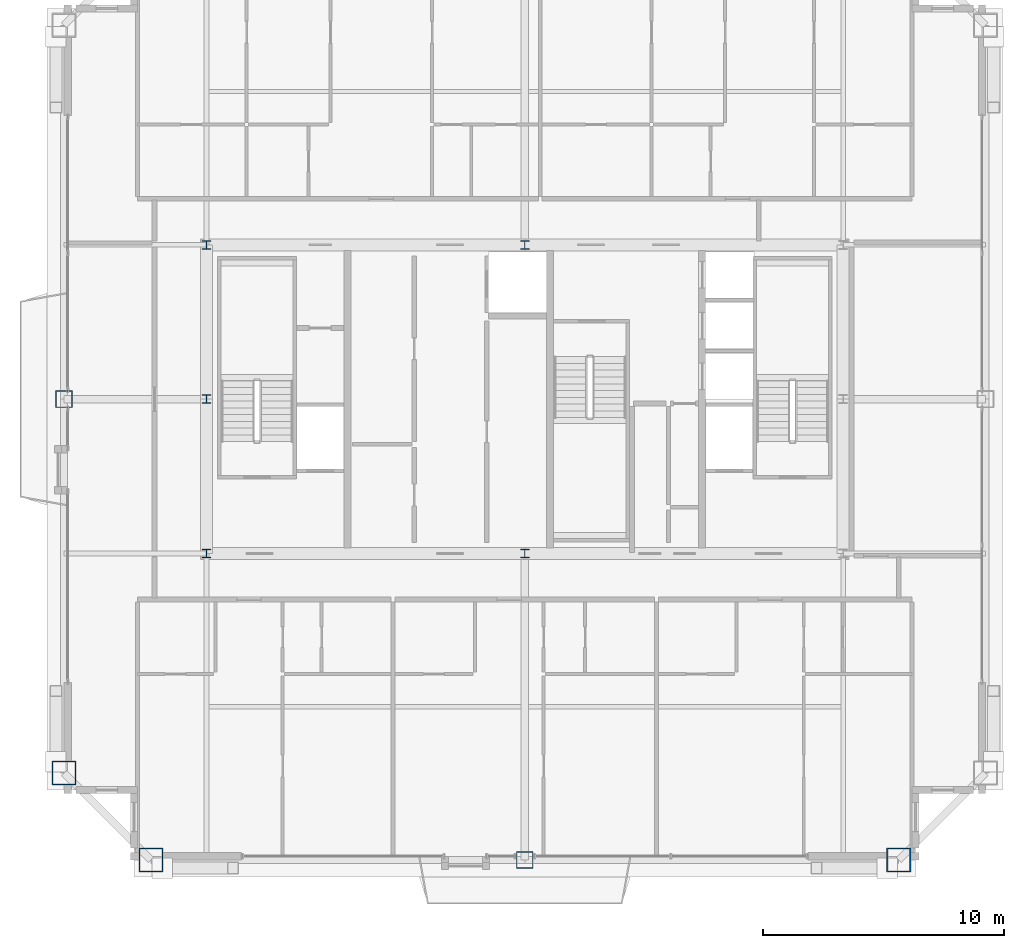
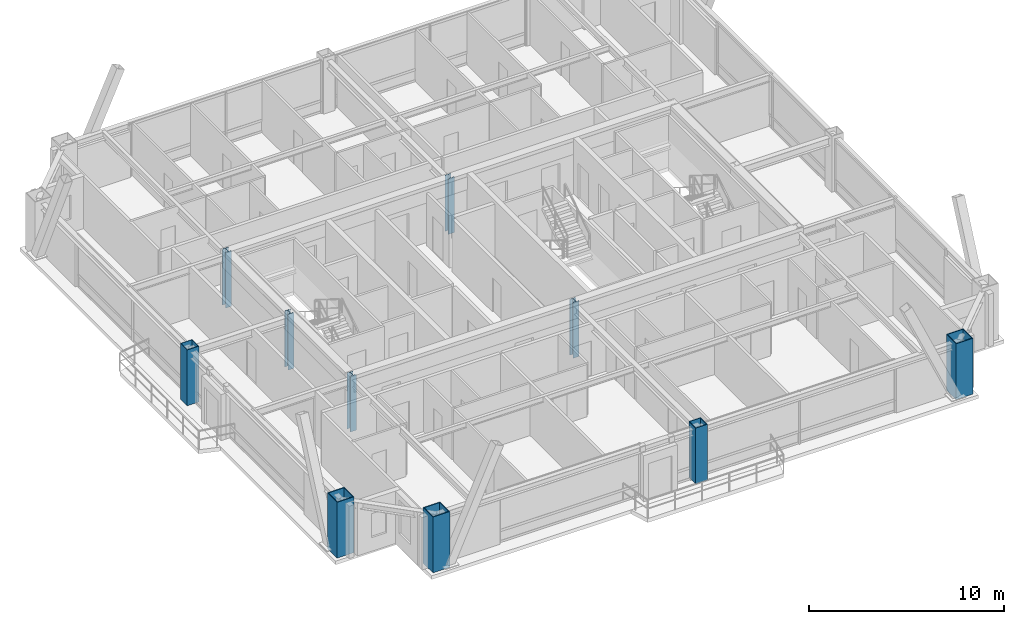
# One storey, part 1 of 33: 10 columns.
"""IFC4 building model written with IfcOpenShell, lengths in metres."""

from ifc_helpers import new_model, si_unit, direction, frame, origin, origin_2d, place, context, subcontext, project, spatial, hollow_rectangle, i_section, extrude, source, transform, mapped, material, material_profile, profile_set, type_object, element, save


model = new_model("IFC4")

# Units and contexts
model_context = context("Model", 3, precision=1e-05, world=origin(), true_north=direction((0.0, 1.0)))
body_context = subcontext(model_context, "Body", "Model", "MODEL_VIEW")
ifc_project = project(units=[si_unit("LENGTHUNIT", "METRE"), si_unit("AREAUNIT", "SQUARE_METRE"), si_unit("VOLUMEUNIT", "CUBIC_METRE"), si_unit("PLANEANGLEUNIT", "RADIAN"), si_unit("MASSUNIT", "GRAM", prefix="KILO"), si_unit("THERMODYNAMICTEMPERATUREUNIT", "KELVIN"), si_unit("POWERUNIT", "WATT")], contexts=[model_context])

# Site, building, storey
site_placement = place(None, origin())
site = spatial("IfcSite", under=ifc_project, at=site_placement, CompositionType="ELEMENT")
building_placement = place(site_placement, origin())
building = spatial("IfcBuilding", under=site, at=building_placement, Name="Yuzanri Waterfront Tower", CompositionType="ELEMENT")
storey_placement = place(building_placement, frame((0.0, 0.0, 292.60009765625)))
storey = spatial("IfcBuildingStorey", under=building, at=storey_placement, Name="L78", CompositionType="ELEMENT", Elevation=292.60009765625)

# Columns
ifc_material_1 = material(Name="Steel Q355B", Category="steel")
ifc_material_profile_1 = material_profile(ifc_material_1, hollow_rectangle(XDim=0.699951171875, YDim=0.699951171875, WallThickness=0.031982421875, at=origin_2d()), Name="RHS 700x700x32")
ifc_profile_set_1 = profile_set([ifc_material_profile_1], Name="Steel Q355B")
column_type_1 = type_object("IfcColumnType", Name="Frame Column Q355B RHS 700x700x32", PredefinedType="COLUMN", material=ifc_profile_set_1)
shared_shape_1 = source(origin(), body_context, "Body", "SweptSolid", [
    extrude(hollow_rectangle(XDim=0.699951171875, YDim=0.699951171875, WallThickness=0.031982421875, at=origin_2d()), origin(), (0.0, 0.0, 1.0), 3.5),
])
for number, where, z_axis, x_axis, name in (
    (1, (37.0, 6.699951171875, 0.0), (0.0, 0.0, 1.0), (1.0, 0.0, 0.0), "L78 Perimeter Frame Column S2"),
    (2, (17.89990234375, 25.800048828125, 0.0), (0.0, 0.0, 1.0), (1.0, 0.0, 0.0), "L78 Perimeter Frame Column W2"),
):
    element("IfcColumn", number, at=place(storey_placement, frame(where, z_axis=z_axis, x_axis=x_axis)), inside=storey, type_object=column_type_1, Name=name, PredefinedType="COLUMN", context=body_context, shape_type="MappedRepresentation", body=[
        mapped(shared_shape_1, transform((0.0, 0.0, 0.0), scale=1.0)),
    ])
ifc_material_2 = material(Name="Steel Q355B", Category="steel")
ifc_material_profile_2 = material_profile(ifc_material_2, i_section(OverallWidth=0.35009765625, OverallDepth=0.35009765625, WebThickness=0.011962890625, FlangeThickness=0.01904296875, at=origin_2d()), Name="HW 350x350x12x19")
ifc_profile_set_2 = profile_set([ifc_material_profile_2], Name="Steel Q355B")
column_type_2 = type_object("IfcColumnType", Name="Core Post Q355B HW 350x350x12x19", PredefinedType="COLUMN", material=ifc_profile_set_2)
shared_shape_2 = source(origin(), body_context, "Body", "SweptSolid", [
    extrude(i_section(OverallWidth=0.35009765625, OverallDepth=0.35009765625, WebThickness=0.011962890625, FlangeThickness=0.01904296875, at=origin_2d()), origin(), (0.0, 0.0, 1.0), 3.5),
])
for number, where, z_axis, x_axis, name in (
    (3, (23.800048828125, 19.39990234375, 0.0), (0.0, 0.0, 1.0), (1.0, 0.0, 0.0), "L78 Core Boundary Column CP1"),
    (4, (37.0, 19.39990234375, 0.0), (0.0, 0.0, 1.0), (1.0, 0.0, 0.0), "L78 Core Boundary Column CP2"),
    (5, (23.800048828125, 25.800048828125, 0.0), (0.0, 0.0, 1.0), (1.0, 0.0, 0.0), "L78 Core Boundary Column CP4"),
    (6, (23.800048828125, 32.199951171875, 0.0), (0.0, 0.0, 1.0), (1.0, 0.0, 0.0), "L78 Core Boundary Column CP6"),
    (7, (37.0, 32.199951171875, 0.0), (0.0, 0.0, 1.0), (1.0, 0.0, 0.0), "L78 Core Boundary Column CP7"),
):
    element("IfcColumn", number, at=place(storey_placement, frame(where, z_axis=z_axis, x_axis=x_axis)), inside=storey, type_object=column_type_2, Name=name, PredefinedType="COLUMN", context=body_context, shape_type="MappedRepresentation", body=[
        mapped(shared_shape_2, transform((0.0, 0.0, 0.0), scale=1.0)),
    ])
ifc_material_3 = material(Name="Steel Q390GJC", Category="steel")
ifc_material_profile_3 = material_profile(ifc_material_3, hollow_rectangle(XDim=1.0, YDim=1.0, WallThickness=0.048095703125, at=origin_2d()), Name="RHS 1000x1000x48")
ifc_profile_set_3 = profile_set([ifc_material_profile_3], Name="Steel Q390GJC")
column_type_3 = type_object("IfcColumnType", Name="Mega Column Q390GJC RHS 1000x1000x48", PredefinedType="COLUMN", material=ifc_profile_set_3)
shared_shape_3 = source(origin(), body_context, "Body", "SweptSolid", [
    extrude(hollow_rectangle(XDim=1.0, YDim=1.0, WallThickness=0.048095703125, at=origin_2d()), origin(), (0.0, 0.0, 1.0), 3.5),
])
for number, where, z_axis, x_axis, name in (
    (8, (21.5, 6.699951171875, 0.0), (0.0, 0.0, 1.0), (1.0, 0.0, 0.0), "L78 Perimeter Mega Column S1"),
    (9, (52.5, 6.699951171875, 0.0), (0.0, 0.0, 1.0), (1.0, 0.0, 0.0), "L78 Perimeter Mega Column S3"),
    (10, (17.89990234375, 10.300048828125, 0.0), (0.0, 0.0, 1.0), (1.0, 0.0, 0.0), "L78 Perimeter Mega Column W1"),
):
    element("IfcColumn", number, at=place(storey_placement, frame(where, z_axis=z_axis, x_axis=x_axis)), inside=storey, type_object=column_type_3, Name=name, PredefinedType="COLUMN", context=body_context, shape_type="MappedRepresentation", body=[
        mapped(shared_shape_3, transform((0.0, 0.0, 0.0), scale=1.0)),
    ])

save(model, "model.ifc")
